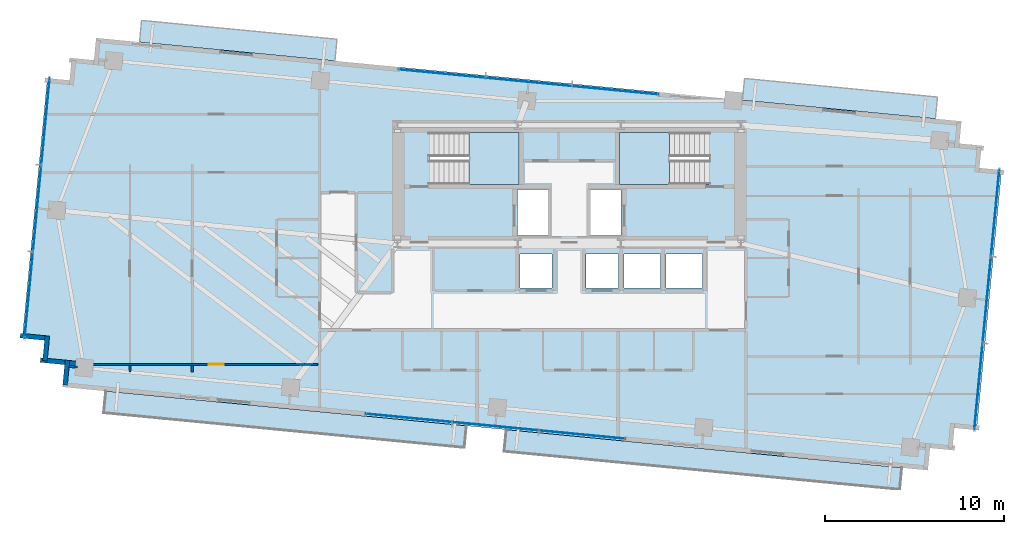
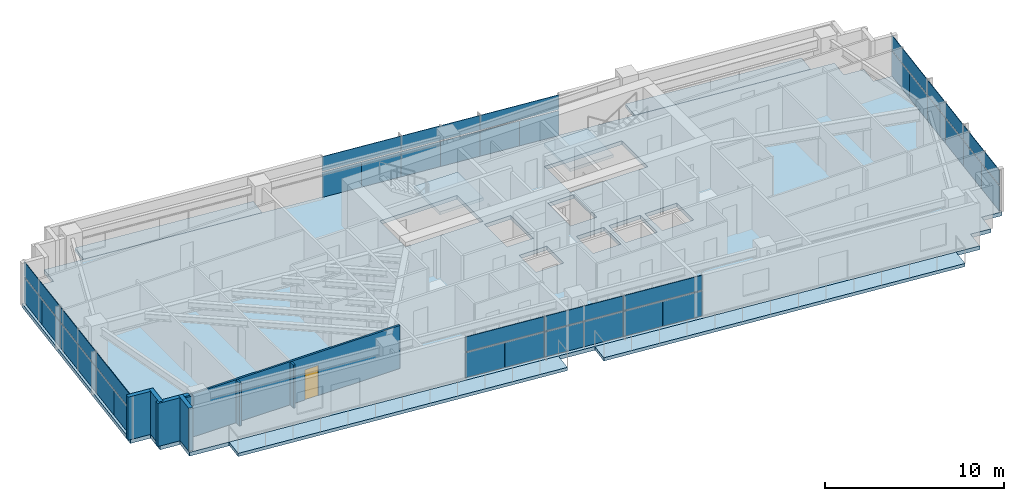
# One storey, part 14 of 20: 36 plates, 8 walls, 7 slabs, 1 door, 1 opening, 6 elements without a shape of their own.
"""IFC4 building model written with IfcOpenShell, lengths in metres."""

from ifc_helpers import new_model, si_unit, direction, frame, frame_2d, origin, origin_2d, place, context, subcontext, project, spatial, polyline, rectangle, outline, extrude, source, transform, mapped, material, layer, layer_set, type_object, type_shapes, element, fill, aggregate, save


model = new_model("IFC4")

# Units and contexts
model_context = context("Model", 3, precision=1e-05, world=origin(), true_north=direction((0.0, 1.0)))
body_context = subcontext(model_context, "Body", "Model", "MODEL_VIEW")
ifc_project = project(units=[si_unit("LENGTHUNIT", "METRE"), si_unit("AREAUNIT", "SQUARE_METRE"), si_unit("VOLUMEUNIT", "CUBIC_METRE"), si_unit("PLANEANGLEUNIT", "RADIAN"), si_unit("MASSUNIT", "GRAM", prefix="KILO")], contexts=[model_context])

# Site, building, storey
site_placement = place(None, origin())
site = spatial("IfcSite", under=ifc_project, at=site_placement, CompositionType="ELEMENT")
building_placement = place(site_placement, origin())
building = spatial("IfcBuilding", under=site, at=building_placement, Name="Astriad Promenade Condominiums", CompositionType="ELEMENT")
storey_placement = place(building_placement, frame((0.0, 0.0, 153.39990234375)))
storey = spatial("IfcBuildingStorey", under=building, at=storey_placement, Name="L44", CompositionType="ELEMENT", Elevation=153.39990234375)

# Slab
ifc_material_1 = material(Name="Concrete C50/60", Category="concrete")
ifc_layer_1 = layer(ifc_material_1, 0.260009765625)
ifc_layer_set_1 = layer_set([ifc_layer_1], Name="Concrete C50/60")
slab_type_1 = type_object("IfcSlabType", Name="CONCRETE TOWER FLOOR SLAB 260", PredefinedType="FLOOR", material=ifc_layer_set_1)
slab_1_placement = place(storey_placement, frame((0.0, 0.0, -0.260009765625)))
element("IfcSlab", 1, at=slab_1_placement, inside=storey, type_object=slab_type_1, Name="Structural Floor Slab (L44)", PredefinedType="FLOOR", context=body_context, shape_type="SweptSolid", body=[
    extrude(outline(polyline([(7.672607421875, 9.374267578125), (56.048828125, 4.716064453125), (56.168701171875, 5.960205078125), (57.412841796875, 5.840576171875), (57.53271484375, 7.084716796875), (58.77685546875, 6.96484375), (60.17626953125, 21.497802734375), (58.931884765625, 21.617431640625), (59.052001953125, 22.86181640625), (57.8076171875, 22.981689453125), (57.927490234375, 24.225830078125), (9.55126953125, 28.8837890625), (9.431396484375, 27.6396484375), (8.18701171875, 27.759521484375), (8.0673828125, 26.515380859375), (6.822998046875, 26.635009765625), (5.423583984375, 12.102294921875), (6.66796875, 11.982421875), (6.548095703125, 10.73828125), (7.79248046875, 10.618408203125), (7.672607421875, 9.374267578125)]), holes=[polyline([(28.175048828125, 20.699951171875), (33.175048828125, 20.699951171875), (33.175048828125, 23.60009765625), (28.175048828125, 23.60009765625), (28.175048828125, 20.699951171875)]), polyline([(38.824951171875, 20.699951171875), (43.824951171875, 20.699951171875), (43.824951171875, 23.60009765625), (38.824951171875, 23.60009765625), (38.824951171875, 20.699951171875)]), polyline([(33.10009765625, 17.85009765625), (34.800048828125, 17.85009765625), (34.800048828125, 20.39990234375), (33.10009765625, 20.39990234375), (33.10009765625, 17.85009765625)]), polyline([(37.199951171875, 17.85009765625), (38.89990234375, 17.85009765625), (38.89990234375, 20.39990234375), (37.199951171875, 20.39990234375), (37.199951171875, 17.85009765625)]), polyline([(33.25, 14.89990234375), (35.050048828125, 14.89990234375), (35.050048828125, 16.800048828125), (33.25, 16.800048828125), (33.25, 14.89990234375)]), polyline([(36.949951171875, 14.89990234375), (38.75, 14.89990234375), (38.75, 16.800048828125), (36.949951171875, 16.800048828125), (36.949951171875, 14.89990234375)]), polyline([(39.050048828125, 14.89990234375), (41.10009765625, 14.89990234375), (41.10009765625, 16.800048828125), (39.050048828125, 16.800048828125), (39.050048828125, 14.89990234375)]), polyline([(41.39990234375, 14.89990234375), (43.449951171875, 14.89990234375), (43.449951171875, 16.800048828125), (41.39990234375, 16.800048828125), (41.39990234375, 14.89990234375)])]), origin(), (0.0, 0.0, 1.0), 0.260009765625),
])

# Stair, slab
stair_type = type_object("IfcStairType", Name="STR-CORE-1350", PredefinedType="HALF_TURN_STAIR", material=ifc_material_1)
stair_1_placement = place(storey_placement, origin())
stair_1 = element("IfcStair", 2, at=stair_1_placement, inside=storey, type_object=stair_type, Name="L44 Enclosed Core Exit Stair ST-1", PredefinedType="HALF_TURN_STAIR")
ifc_layer_2 = layer(ifc_material_1, 0.219970703125)
ifc_layer_set_2 = layer_set([ifc_layer_2], Name="Concrete C50/60")
slab_type_2 = type_object("IfcSlabType", Name="SLB-LANDING-220", PredefinedType="LANDING", material=ifc_layer_set_2)
slab_2_placement = place(storey_placement, frame((0.0, 0.0, 1.400146484375)))
slab_2 = element("IfcSlab", 3, at=slab_2_placement, type_object=slab_type_2, Name="ST-1 landing 1", PredefinedType="LANDING", context=body_context, shape_type="SweptSolid", body=[
    extrude(outline(polyline([(30.389892578125, 20.699951171875), (33.199951171875, 20.699951171875), (33.199951171875, 23.60009765625), (30.389892578125, 23.60009765625), (30.389892578125, 20.699951171875)])), origin(), (0.0, 0.0, 1.0), 0.199951171875),
])
aggregate(stair_1, [slab_2])

stair_2_placement = place(storey_placement, origin())
stair_2 = element("IfcStair", 4, at=stair_2_placement, inside=storey, type_object=stair_type, Name="L44 Enclosed Core Exit Stair ST-2", PredefinedType="HALF_TURN_STAIR")
slab_3_placement = place(storey_placement, frame((0.0, 0.0, 1.400146484375)))
slab_3 = element("IfcSlab", 5, at=slab_3_placement, type_object=slab_type_2, Name="ST-2 landing 1", PredefinedType="LANDING", context=body_context, shape_type="SweptSolid", body=[
    extrude(outline(polyline([(41.610107421875, 23.60009765625), (38.800048828125, 23.60009765625), (38.800048828125, 20.699951171875), (41.610107421875, 20.699951171875), (41.610107421875, 23.60009765625)])), origin(), (0.0, 0.0, 1.0), 0.199951171875),
])
aggregate(stair_2, [slab_3])

# Slabs
ifc_material_2 = material(Name="Precast concrete C50/60", Category="concrete")
ifc_layer_3 = layer(ifc_material_2, 0.219970703125)
ifc_layer_set_3 = layer_set([ifc_layer_3], Name="Precast concrete C50/60")
slab_type_3 = type_object("IfcSlabType", Name="WHITE PRECAST CONCRETE WAVE BALCONY SLAB 220", PredefinedType="FLOOR", material=ifc_layer_set_3)
slab_4_placement = place(storey_placement, frame((0.0, 0.0, -0.219970703125)))
element("IfcSlab", 6, at=slab_4_placement, inside=storey, type_object=slab_type_3, Name="White Precast Wave Balcony Slab BAL-L44-SW", PredefinedType="FLOOR", context=body_context, shape_type="SweptSolid", body=[
    extrude(outline(polyline([(9.978515625, 7.926513671875), (30.13330078125, 5.98583984375), (30.250244140625, 7.2001953125), (10.095458984375, 9.140869140625), (9.978515625, 7.926513671875)])), origin(), (0.0, 0.0, 1.0), 0.219970703125),
])
slab_5_placement = place(storey_placement, frame((0.0, 0.0, -0.219970703125)))
element("IfcSlab", 7, at=slab_5_placement, inside=storey, type_object=slab_type_3, Name="White Precast Wave Balcony Slab BAL-L44-SE", PredefinedType="FLOOR", context=body_context, shape_type="SweptSolid", body=[
    extrude(outline(polyline([(32.364013671875, 5.77099609375), (54.474609375, 3.64208984375), (54.591552734375, 4.8564453125), (32.480712890625, 6.9853515625), (32.364013671875, 5.77099609375)])), origin(), (0.0, 0.0, 1.0), 0.219970703125),
])
slab_6_placement = place(storey_placement, frame((0.0, 0.0, -0.219970703125)))
element("IfcSlab", 8, at=slab_6_placement, inside=storey, type_object=slab_type_3, Name="White Precast Wave Balcony Slab BAL-L44-NW", PredefinedType="FLOOR", context=body_context, shape_type="SweptSolid", body=[
    extrude(outline(polyline([(12.0908203125, 29.864990234375), (23.016357421875, 28.81298828125), (22.899658203125, 27.6005859375), (11.97412109375, 28.652587890625), (12.0908203125, 29.864990234375)])), origin(), (0.0, 0.0, 1.0), 0.219970703125),
])
slab_7_placement = place(storey_placement, frame((0.0, 0.0, -0.219970703125)))
element("IfcSlab", 9, at=slab_7_placement, inside=storey, type_object=slab_type_3, Name="White Precast Wave Balcony Slab BAL-L44-NE", PredefinedType="FLOOR", context=body_context, shape_type="SweptSolid", body=[
    extrude(outline(polyline([(45.801025390625, 26.619140625), (56.587158203125, 25.58056640625), (56.470458984375, 24.3681640625), (45.68408203125, 25.40673828125), (45.801025390625, 26.619140625)])), origin(), (0.0, 0.0, 1.0), 0.219970703125),
])

# Curtain wall, plates
ifc_material_3 = material(Name="Anodised aluminium Black Dark Glass Unitised", Category="aluminium")
curtain_wall_type = type_object("IfcCurtainWallType", Name="CW-B34-DARK", PredefinedType="USERDEFINED", material=ifc_material_3)
curtain_wall_1_placement = place(storey_placement, origin())
curtain_wall_1 = element("IfcCurtainWall", 10, at=curtain_wall_1_placement, inside=storey, type_object=curtain_wall_type, Name="CW-L44-W", ObjectType="UNITISED_CURTAIN_WALL", PredefinedType="USERDEFINED")
ifc_material_4 = material(Name="Dark Tinted Low-E Laminated Glass", Category="glass")
ifc_layer_4 = layer(ifc_material_4, 0.035888671875)
ifc_layer_set_4 = layer_set([ifc_layer_4], Name="Dark Tinted Low-E Laminated Glass")
plate_type = type_object("IfcPlateType", Name="PNL-DARK-GLASS-36", PredefinedType="CURTAIN_PANEL", material=ifc_layer_set_4)
shared_shape_1 = source(origin(), body_context, "Body", "SweptSolid", [
    extrude(rectangle(XDim=2.42138671875, YDim=0.035888671875, at=origin_2d()), origin(), (0.0, 0.0, 1.0), 1.702880859375),
])
plate_1_placement = place(storey_placement, frame((5.669677734375, 13.30078125, 0.080078125), z_axis=(0.0, 0.0, 1.0), x_axis=(0.09584575252, 0.995396198367, 0.0)))
plate_1 = element("IfcPlate", 11, at=plate_1_placement, type_object=plate_type, Name="CW-L44-W-PNL-00-VL", PredefinedType="CURTAIN_PANEL", context=body_context, shape_type="MappedRepresentation", body=[
    mapped(shared_shape_1, transform((0.0, 0.0, 0.0), scale=1.0)),
])
plate_2_placement = place(storey_placement, frame((5.903076171875, 15.722900390625, 0.080078125), z_axis=(0.0, 0.0, 1.0), x_axis=(0.09584575252, 0.995396198367, 0.0)))
plate_2 = element("IfcPlate", 12, at=plate_2_placement, type_object=plate_type, Name="CW-L44-W-PNL-00-VR", PredefinedType="CURTAIN_PANEL", context=body_context, shape_type="MappedRepresentation", body=[
    mapped(shared_shape_1, transform((0.0, 0.0, 0.0), scale=1.0)),
])
plate_3_placement = place(storey_placement, frame((6.13623046875, 18.145263671875, 0.080078125), z_axis=(0.0, 0.0, 1.0), x_axis=(0.09584575252, 0.995396198367, 0.0)))
plate_3 = element("IfcPlate", 13, at=plate_3_placement, type_object=plate_type, Name="CW-L44-W-PNL-01-VL", PredefinedType="CURTAIN_PANEL", context=body_context, shape_type="MappedRepresentation", body=[
    mapped(shared_shape_1, transform((0.0, 0.0, 0.0), scale=1.0)),
])
plate_4_placement = place(storey_placement, frame((6.369384765625, 20.5673828125, 0.080078125), z_axis=(0.0, 0.0, 1.0), x_axis=(0.09584575252, 0.995396198367, 0.0)))
plate_4 = element("IfcPlate", 14, at=plate_4_placement, type_object=plate_type, Name="CW-L44-W-PNL-01-VR", PredefinedType="CURTAIN_PANEL", context=body_context, shape_type="MappedRepresentation", body=[
    mapped(shared_shape_1, transform((0.0, 0.0, 0.0), scale=1.0)),
])
plate_5_placement = place(storey_placement, frame((6.6025390625, 22.989501953125, 0.080078125), z_axis=(0.0, 0.0, 1.0), x_axis=(0.09584575252, 0.995396198367, 0.0)))
plate_5 = element("IfcPlate", 15, at=plate_5_placement, type_object=plate_type, Name="CW-L44-W-PNL-02-VL", PredefinedType="CURTAIN_PANEL", context=body_context, shape_type="MappedRepresentation", body=[
    mapped(shared_shape_1, transform((0.0, 0.0, 0.0), scale=1.0)),
])
plate_6_placement = place(storey_placement, frame((6.8359375, 25.41162109375, 0.080078125), z_axis=(0.0, 0.0, 1.0), x_axis=(0.09584575252, 0.995396198367, 0.0)))
plate_6 = element("IfcPlate", 16, at=plate_6_placement, type_object=plate_type, Name="CW-L44-W-PNL-02-VR", PredefinedType="CURTAIN_PANEL", context=body_context, shape_type="MappedRepresentation", body=[
    mapped(shared_shape_1, transform((0.0, 0.0, 0.0), scale=1.0)),
])

curtain_wall_2_placement = place(storey_placement, origin())
curtain_wall_2 = element("IfcCurtainWall", 17, at=curtain_wall_2_placement, inside=storey, type_object=curtain_wall_type, Name="CW-L44-E", ObjectType="UNITISED_CURTAIN_WALL", PredefinedType="USERDEFINED")
plate_7_placement = place(storey_placement, frame((59.930419921875, 20.299072265625, 0.080078125), z_axis=(0.0, 0.0, 1.0), x_axis=(-0.09584575252, -0.995396198367, 0.0)))
plate_7 = element("IfcPlate", 18, at=plate_7_placement, type_object=plate_type, Name="CW-L44-E-PNL-00-VL", PredefinedType="CURTAIN_PANEL", context=body_context, shape_type="MappedRepresentation", body=[
    mapped(shared_shape_1, transform((0.0, 0.0, 0.0), scale=1.0)),
])
plate_8_placement = place(storey_placement, frame((59.697021484375, 17.876953125, 0.080078125), z_axis=(0.0, 0.0, 1.0), x_axis=(-0.09584575252, -0.995396198367, 0.0)))
plate_8 = element("IfcPlate", 19, at=plate_8_placement, type_object=plate_type, Name="CW-L44-E-PNL-00-VR", PredefinedType="CURTAIN_PANEL", context=body_context, shape_type="MappedRepresentation", body=[
    mapped(shared_shape_1, transform((0.0, 0.0, 0.0), scale=1.0)),
])
plate_9_placement = place(storey_placement, frame((59.4638671875, 15.454833984375, 0.080078125), z_axis=(0.0, 0.0, 1.0), x_axis=(-0.09584575252, -0.995396198367, 0.0)))
plate_9 = element("IfcPlate", 20, at=plate_9_placement, type_object=plate_type, Name="CW-L44-E-PNL-01-VL", PredefinedType="CURTAIN_PANEL", context=body_context, shape_type="MappedRepresentation", body=[
    mapped(shared_shape_1, transform((0.0, 0.0, 0.0), scale=1.0)),
])
plate_10_placement = place(storey_placement, frame((59.230712890625, 13.03271484375, 0.080078125), z_axis=(0.0, 0.0, 1.0), x_axis=(-0.09584575252, -0.995396198367, 0.0)))
plate_10 = element("IfcPlate", 21, at=plate_10_placement, type_object=plate_type, Name="CW-L44-E-PNL-01-VR", PredefinedType="CURTAIN_PANEL", context=body_context, shape_type="MappedRepresentation", body=[
    mapped(shared_shape_1, transform((0.0, 0.0, 0.0), scale=1.0)),
])
plate_11_placement = place(storey_placement, frame((58.997314453125, 10.610595703125, 0.080078125), z_axis=(0.0, 0.0, 1.0), x_axis=(-0.09584575252, -0.995396198367, 0.0)))
plate_11 = element("IfcPlate", 22, at=plate_11_placement, type_object=plate_type, Name="CW-L44-E-PNL-02-VL", PredefinedType="CURTAIN_PANEL", context=body_context, shape_type="MappedRepresentation", body=[
    mapped(shared_shape_1, transform((0.0, 0.0, 0.0), scale=1.0)),
])
plate_12_placement = place(storey_placement, frame((58.76416015625, 8.1884765625, 0.080078125), z_axis=(0.0, 0.0, 1.0), x_axis=(-0.09584575252, -0.995396198367, 0.0)))
plate_12 = element("IfcPlate", 23, at=plate_12_placement, type_object=plate_type, Name="CW-L44-E-PNL-02-VR", PredefinedType="CURTAIN_PANEL", context=body_context, shape_type="MappedRepresentation", body=[
    mapped(shared_shape_1, transform((0.0, 0.0, 0.0), scale=1.0)),
])

# Plate
shared_shape_2 = source(origin(), body_context, "Body", "SweptSolid", [
    extrude(rectangle(XDim=4.854736328125, YDim=0.035888671875, at=origin_2d()), origin(), (0.0, 0.0, 1.0), 0.997314453125),
])
plate_13_placement = place(storey_placement, frame((5.786376953125, 14.511962890625, 1.86279296875), z_axis=(0.0, 0.0, 1.0), x_axis=(0.09584575252, 0.995396198367, 0.0)))
plate_13 = element("IfcPlate", 24, at=plate_13_placement, type_object=plate_type, Name="CW-L44-W-PNL-00-S", PredefinedType="CURTAIN_PANEL", context=body_context, shape_type="MappedRepresentation", body=[
    mapped(shared_shape_2, transform((0.0, 0.0, 0.0), scale=1.0)),
])

plate_14_placement = place(storey_placement, frame((6.252685546875, 19.356201171875, 1.86279296875), z_axis=(0.0, 0.0, 1.0), x_axis=(0.09584575252, 0.995396198367, 0.0)))
plate_14 = element("IfcPlate", 25, at=plate_14_placement, type_object=plate_type, Name="CW-L44-W-PNL-01-S", PredefinedType="CURTAIN_PANEL", context=body_context, shape_type="MappedRepresentation", body=[
    mapped(shared_shape_2, transform((0.0, 0.0, 0.0), scale=1.0)),
])

plate_15_placement = place(storey_placement, frame((6.71923828125, 24.200439453125, 1.86279296875), z_axis=(0.0, 0.0, 1.0), x_axis=(0.09584575252, 0.995396198367, 0.0)))
plate_15 = element("IfcPlate", 26, at=plate_15_placement, type_object=plate_type, Name="CW-L44-W-PNL-02-S", PredefinedType="CURTAIN_PANEL", context=body_context, shape_type="MappedRepresentation", body=[
    mapped(shared_shape_2, transform((0.0, 0.0, 0.0), scale=1.0)),
])

aggregate(curtain_wall_1, [plate_1, plate_2, plate_13, plate_3, plate_4, plate_14, plate_5, plate_6, plate_15])

plate_16_placement = place(storey_placement, frame((59.813720703125, 19.088134765625, 1.86279296875), z_axis=(0.0, 0.0, 1.0), x_axis=(-0.09584575252, -0.995396198367, 0.0)))
plate_16 = element("IfcPlate", 27, at=plate_16_placement, type_object=plate_type, Name="CW-L44-E-PNL-00-S", PredefinedType="CURTAIN_PANEL", context=body_context, shape_type="MappedRepresentation", body=[
    mapped(shared_shape_2, transform((0.0, 0.0, 0.0), scale=1.0)),
])

plate_17_placement = place(storey_placement, frame((59.34716796875, 14.243896484375, 1.86279296875), z_axis=(0.0, 0.0, 1.0), x_axis=(-0.09584575252, -0.995396198367, 0.0)))
plate_17 = element("IfcPlate", 28, at=plate_17_placement, type_object=plate_type, Name="CW-L44-E-PNL-01-S", PredefinedType="CURTAIN_PANEL", context=body_context, shape_type="MappedRepresentation", body=[
    mapped(shared_shape_2, transform((0.0, 0.0, 0.0), scale=1.0)),
])

plate_18_placement = place(storey_placement, frame((58.880615234375, 9.3994140625, 1.86279296875), z_axis=(0.0, 0.0, 1.0), x_axis=(-0.09584575252, -0.995396198367, 0.0)))
plate_18 = element("IfcPlate", 29, at=plate_18_placement, type_object=plate_type, Name="CW-L44-E-PNL-02-S", PredefinedType="CURTAIN_PANEL", context=body_context, shape_type="MappedRepresentation", body=[
    mapped(shared_shape_2, transform((0.0, 0.0, 0.0), scale=1.0)),
])

aggregate(curtain_wall_2, [plate_7, plate_8, plate_16, plate_9, plate_10, plate_17, plate_11, plate_12, plate_18])

# Curtain wall, plates
curtain_wall_3_placement = place(storey_placement, origin())
curtain_wall_3 = element("IfcCurtainWall", 30, at=curtain_wall_3_placement, inside=storey, type_object=curtain_wall_type, Name="CW-L44-N", ObjectType="UNITISED_CURTAIN_WALL", PredefinedType="USERDEFINED")
shared_shape_3 = source(origin(), body_context, "Body", "SweptSolid", [
    extrude(rectangle(XDim=2.41796875, YDim=0.035888671875, at=origin_2d()), origin(), (0.0, 0.0, 1.0), 1.702880859375),
])
plate_19_placement = place(storey_placement, frame((27.6796875, 27.0078125, 0.080078125), z_axis=(0.0, 0.0, 1.0), x_axis=(0.995396198367, -0.09584575252, 0.0)))
plate_19 = element("IfcPlate", 31, at=plate_19_placement, type_object=plate_type, Name="CW-L44-N-PNL-00-VL", PredefinedType="CURTAIN_PANEL", context=body_context, shape_type="MappedRepresentation", body=[
    mapped(shared_shape_3, transform((0.0, 0.0, 0.0), scale=1.0)),
])
plate_20_placement = place(storey_placement, frame((30.0986328125, 26.77490234375, 0.080078125), z_axis=(0.0, 0.0, 1.0), x_axis=(0.995396198367, -0.09584575252, 0.0)))
plate_20 = element("IfcPlate", 32, at=plate_20_placement, type_object=plate_type, Name="CW-L44-N-PNL-00-VR", PredefinedType="CURTAIN_PANEL", context=body_context, shape_type="MappedRepresentation", body=[
    mapped(shared_shape_3, transform((0.0, 0.0, 0.0), scale=1.0)),
])
plate_21_placement = place(storey_placement, frame((32.517333984375, 26.5419921875, 0.080078125), z_axis=(0.0, 0.0, 1.0), x_axis=(0.995396198367, -0.09584575252, 0.0)))
plate_21 = element("IfcPlate", 33, at=plate_21_placement, type_object=plate_type, Name="CW-L44-N-PNL-01-VL", PredefinedType="CURTAIN_PANEL", context=body_context, shape_type="MappedRepresentation", body=[
    mapped(shared_shape_3, transform((0.0, 0.0, 0.0), scale=1.0)),
])
plate_22_placement = place(storey_placement, frame((34.936279296875, 26.30908203125, 0.080078125), z_axis=(0.0, 0.0, 1.0), x_axis=(0.995396198367, -0.09584575252, 0.0)))
plate_22 = element("IfcPlate", 34, at=plate_22_placement, type_object=plate_type, Name="CW-L44-N-PNL-01-VR", PredefinedType="CURTAIN_PANEL", context=body_context, shape_type="MappedRepresentation", body=[
    mapped(shared_shape_3, transform((0.0, 0.0, 0.0), scale=1.0)),
])
plate_23_placement = place(storey_placement, frame((37.35498046875, 26.075927734375, 0.080078125), z_axis=(0.0, 0.0, 1.0), x_axis=(0.995396198367, -0.09584575252, 0.0)))
plate_23 = element("IfcPlate", 35, at=plate_23_placement, type_object=plate_type, Name="CW-L44-N-PNL-02-VL", PredefinedType="CURTAIN_PANEL", context=body_context, shape_type="MappedRepresentation", body=[
    mapped(shared_shape_3, transform((0.0, 0.0, 0.0), scale=1.0)),
])
plate_24_placement = place(storey_placement, frame((39.77392578125, 25.84326171875, 0.080078125), z_axis=(0.0, 0.0, 1.0), x_axis=(0.995396198367, -0.09584575252, 0.0)))
plate_24 = element("IfcPlate", 36, at=plate_24_placement, type_object=plate_type, Name="CW-L44-N-PNL-02-VR", PredefinedType="CURTAIN_PANEL", context=body_context, shape_type="MappedRepresentation", body=[
    mapped(shared_shape_3, transform((0.0, 0.0, 0.0), scale=1.0)),
])

curtain_wall_4_placement = place(storey_placement, origin())
curtain_wall_4 = element("IfcCurtainWall", 37, at=curtain_wall_4_placement, inside=storey, type_object=curtain_wall_type, Name="CW-L44-S", ObjectType="UNITISED_CURTAIN_WALL", PredefinedType="USERDEFINED")
plate_25_placement = place(storey_placement, frame((37.920166015625, 6.59228515625, 0.080078125), z_axis=(0.0, 0.0, 1.0), x_axis=(-0.995396198367, 0.09584575252, 0.0)))
plate_25 = element("IfcPlate", 38, at=plate_25_placement, type_object=plate_type, Name="CW-L44-S-PNL-00-VL", PredefinedType="CURTAIN_PANEL", context=body_context, shape_type="MappedRepresentation", body=[
    mapped(shared_shape_3, transform((0.0, 0.0, 0.0), scale=1.0)),
])
plate_26_placement = place(storey_placement, frame((35.50146484375, 6.8251953125, 0.080078125), z_axis=(0.0, 0.0, 1.0), x_axis=(-0.995396198367, 0.09584575252, 0.0)))
plate_26 = element("IfcPlate", 39, at=plate_26_placement, type_object=plate_type, Name="CW-L44-S-PNL-00-VR", PredefinedType="CURTAIN_PANEL", context=body_context, shape_type="MappedRepresentation", body=[
    mapped(shared_shape_3, transform((0.0, 0.0, 0.0), scale=1.0)),
])
plate_27_placement = place(storey_placement, frame((33.08251953125, 7.05810546875, 0.080078125), z_axis=(0.0, 0.0, 1.0), x_axis=(-0.995396198367, 0.09584575252, 0.0)))
plate_27 = element("IfcPlate", 40, at=plate_27_placement, type_object=plate_type, Name="CW-L44-S-PNL-01-VL", PredefinedType="CURTAIN_PANEL", context=body_context, shape_type="MappedRepresentation", body=[
    mapped(shared_shape_3, transform((0.0, 0.0, 0.0), scale=1.0)),
])
plate_28_placement = place(storey_placement, frame((30.663818359375, 7.291015625, 0.080078125), z_axis=(0.0, 0.0, 1.0), x_axis=(-0.995396198367, 0.09584575252, 0.0)))
plate_28 = element("IfcPlate", 41, at=plate_28_placement, type_object=plate_type, Name="CW-L44-S-PNL-01-VR", PredefinedType="CURTAIN_PANEL", context=body_context, shape_type="MappedRepresentation", body=[
    mapped(shared_shape_3, transform((0.0, 0.0, 0.0), scale=1.0)),
])
plate_29_placement = place(storey_placement, frame((28.244873046875, 7.52392578125, 0.080078125), z_axis=(0.0, 0.0, 1.0), x_axis=(-0.995396198367, 0.09584575252, 0.0)))
plate_29 = element("IfcPlate", 42, at=plate_29_placement, type_object=plate_type, Name="CW-L44-S-PNL-02-VL", PredefinedType="CURTAIN_PANEL", context=body_context, shape_type="MappedRepresentation", body=[
    mapped(shared_shape_3, transform((0.0, 0.0, 0.0), scale=1.0)),
])
plate_30_placement = place(storey_placement, frame((25.826171875, 7.7568359375, 0.080078125), z_axis=(0.0, 0.0, 1.0), x_axis=(-0.995396198367, 0.09584575252, 0.0)))
plate_30 = element("IfcPlate", 43, at=plate_30_placement, type_object=plate_type, Name="CW-L44-S-PNL-02-VR", PredefinedType="CURTAIN_PANEL", context=body_context, shape_type="MappedRepresentation", body=[
    mapped(shared_shape_3, transform((0.0, 0.0, 0.0), scale=1.0)),
])

# Plate
shared_shape_4 = source(origin(), body_context, "Body", "SweptSolid", [
    extrude(rectangle(XDim=4.847900390625, YDim=0.035888671875, at=origin_2d()), origin(), (0.0, 0.0, 1.0), 0.997314453125),
])
type_shapes(plate_type, [shared_shape_1, shared_shape_2, shared_shape_3, shared_shape_4])
plate_31_placement = place(storey_placement, frame((28.88916015625, 26.891357421875, 1.86279296875), z_axis=(0.0, 0.0, 1.0), x_axis=(0.995396198367, -0.09584575252, 0.0)))
plate_31 = element("IfcPlate", 44, at=plate_31_placement, type_object=plate_type, Name="CW-L44-N-PNL-00-S", PredefinedType="CURTAIN_PANEL", context=body_context, shape_type="MappedRepresentation", body=[
    mapped(shared_shape_4, transform((0.0, 0.0, 0.0), scale=1.0)),
])

plate_32_placement = place(storey_placement, frame((33.726806640625, 26.42529296875, 1.86279296875), z_axis=(0.0, 0.0, 1.0), x_axis=(0.995396198367, -0.09584575252, 0.0)))
plate_32 = element("IfcPlate", 45, at=plate_32_placement, type_object=plate_type, Name="CW-L44-N-PNL-01-S", PredefinedType="CURTAIN_PANEL", context=body_context, shape_type="MappedRepresentation", body=[
    mapped(shared_shape_4, transform((0.0, 0.0, 0.0), scale=1.0)),
])

plate_33_placement = place(storey_placement, frame((38.564453125, 25.959716796875, 1.86279296875), z_axis=(0.0, 0.0, 1.0), x_axis=(0.995396198367, -0.09584575252, 0.0)))
plate_33 = element("IfcPlate", 46, at=plate_33_placement, type_object=plate_type, Name="CW-L44-N-PNL-02-S", PredefinedType="CURTAIN_PANEL", context=body_context, shape_type="MappedRepresentation", body=[
    mapped(shared_shape_4, transform((0.0, 0.0, 0.0), scale=1.0)),
])

aggregate(curtain_wall_3, [plate_19, plate_20, plate_31, plate_21, plate_22, plate_32, plate_23, plate_24, plate_33])

plate_34_placement = place(storey_placement, frame((36.710693359375, 6.708740234375, 1.86279296875), z_axis=(0.0, 0.0, 1.0), x_axis=(-0.995396198367, 0.09584575252, 0.0)))
plate_34 = element("IfcPlate", 47, at=plate_34_placement, type_object=plate_type, Name="CW-L44-S-PNL-00-S", PredefinedType="CURTAIN_PANEL", context=body_context, shape_type="MappedRepresentation", body=[
    mapped(shared_shape_4, transform((0.0, 0.0, 0.0), scale=1.0)),
])

plate_35_placement = place(storey_placement, frame((31.873291015625, 7.174560546875, 1.86279296875), z_axis=(0.0, 0.0, 1.0), x_axis=(-0.995396198367, 0.09584575252, 0.0)))
plate_35 = element("IfcPlate", 48, at=plate_35_placement, type_object=plate_type, Name="CW-L44-S-PNL-01-S", PredefinedType="CURTAIN_PANEL", context=body_context, shape_type="MappedRepresentation", body=[
    mapped(shared_shape_4, transform((0.0, 0.0, 0.0), scale=1.0)),
])

plate_36_placement = place(storey_placement, frame((27.035400390625, 7.640380859375, 1.86279296875), z_axis=(0.0, 0.0, 1.0), x_axis=(-0.995396198367, 0.09584575252, 0.0)))
plate_36 = element("IfcPlate", 49, at=plate_36_placement, type_object=plate_type, Name="CW-L44-S-PNL-02-S", PredefinedType="CURTAIN_PANEL", context=body_context, shape_type="MappedRepresentation", body=[
    mapped(shared_shape_4, transform((0.0, 0.0, 0.0), scale=1.0)),
])

aggregate(curtain_wall_4, [plate_25, plate_26, plate_34, plate_27, plate_28, plate_35, plate_29, plate_30, plate_36])

# Walls
ifc_layer_5 = layer(ifc_material_2, 0.260009765625)
ifc_layer_set_5 = layer_set([ifc_layer_5], Name="Precast concrete C50/60")
wall_type_1 = type_object("IfcWallType", Name="WALL-EXT-TWR-260", PredefinedType="STANDARD", material=ifc_layer_set_5)
wall_1_placement = place(storey_placement, frame((8.400146484375, 10.6904296875, 0.0), z_axis=(0.0, 0.0, 1.0), x_axis=(-0.995391147587, 0.095898192396, 0.0)))
element("IfcWall", 50, at=wall_1_placement, inside=storey, type_object=wall_type_1, Name="W-SER-L44-00", PredefinedType="STANDARD", context=body_context, shape_type="SweptSolid", body=[
    extrude(rectangle(XDim=1.97802734375, YDim=0.260009765625, at=frame_2d((0.989013671875, 0.0))), origin(), (0.0, 0.0, 1.0), 2.940185546875),
])
wall_2_placement = place(storey_placement, frame((6.6884765625, 10.840087890625, 0.0), z_axis=(0.0, 0.0, 1.0), x_axis=(0.09589913835, 0.995391056452, 0.0)))
element("IfcWall", 51, at=wall_2_placement, inside=storey, type_object=wall_type_1, Name="W-SER-L44-01", PredefinedType="STANDARD", context=body_context, shape_type="SweptSolid", body=[
    extrude(rectangle(XDim=1.39501953125, YDim=0.260009765625, at=frame_2d((0.697509765625, 0.0))), origin(), (0.0, 0.0, 1.0), 2.940185546875),
])
for number, where, z_axis, x_axis, name in (
    (52, (6.6953125, 12.110595703125, 0.0), (0.0, 0.0, 1.0), (-0.99540614245, 0.095742423056, 0.0), "W-SER-L44-02"),
    (53, (7.81298828125, 9.476318359375, 0.0), (0.0, 0.0, 1.0), (0.095915846097, 0.995389446633, 0.0), "W-SER-L44-19"),
):
    element("IfcWall", number, at=place(storey_placement, frame(where, z_axis=z_axis, x_axis=x_axis)), inside=storey, type_object=wall_type_1, Name=name, PredefinedType="STANDARD", context=body_context, shape_type="SweptSolid", body=[
        extrude(rectangle(XDim=1.394775390625, YDim=0.260009765625, at=frame_2d((0.697265625, 0.0))), origin(), (0.0, 0.0, 1.0), 2.940185546875),
    ])

# Wall, opening, door
ifc_material_5 = material(Name="Acoustic Metal-Stud Gypsum Partition")
ifc_layer_6 = layer(ifc_material_5, 0.1201171875)
ifc_layer_set_6 = layer_set([ifc_layer_6], Name="Acoustic Metal-Stud Gypsum Partition")
wall_type_2 = type_object("IfcWallType", Name="WALL-PART-120", PredefinedType="PARTITIONING", material=ifc_layer_set_6)
wall_3_placement = place(storey_placement, frame((8.39501953125, 10.638916015625, 0.0), z_axis=(0.0, 0.0, 1.0), x_axis=(1.0, 0.0, 0.0)))
wall_3 = element("IfcWall", 54, at=wall_3_placement, inside=storey, type_object=wall_type_2, Name="PT-L44-W1-WDS3", PredefinedType="PARTITIONING", context=body_context, shape_type="SweptSolid", body=[
    extrude(rectangle(XDim=13.572998046875, YDim=0.1201171875, at=frame_2d((6.78662109375, 0.0))), origin(), (0.0, 0.0, 1.0), 2.940185546875),
])
opening_placement = place(wall_3_placement, frame((7.450927734375, 0.0, 0.0)))
opening = element("IfcOpeningElement", 55, at=opening_placement, cuts=wall_3, Name="Opening D-INT-085", PredefinedType="OPENING", context=body_context, shape_type="SweptSolid", body=[
    extrude(rectangle(XDim=0.85009765625, YDim=2.050048828125, at=frame_2d((0.425048828125, 1.02490234375))), frame((0.0, 0.070068359375, 0.0), z_axis=(0.0, -1.0, 0.0), x_axis=(1.0, 0.0, 0.0)), (0.0, 0.0, 1.0), 0.14013671875),
])
ifc_material_6 = material(Name="Painted Solid-Core Timber Room Door", Category="wood")
door_type = type_object("IfcDoorType", Name="D-INT-085", OperationType="NOTDEFINED", PredefinedType="DOOR", material=ifc_material_6)
shared_shape_5 = source(origin(), body_context, "Body", "SweptSolid", [
    extrude(rectangle(XDim=0.85009765625, YDim=2.050048828125, at=frame_2d((0.425048828125, 1.02490234375))), frame((0.0, 0.02490234375, 0.0), z_axis=(0.0, -1.0, 0.0), x_axis=(1.0, 0.0, 0.0)), (0.0, 0.0, 1.0), 0.050048828125),
])
type_shapes(door_type, [shared_shape_5])
door_placement = place(opening_placement, origin())
door = element("IfcDoor", 56, at=door_placement, inside=storey, type_object=door_type, Name="D-WDS3-L44-W1", OperationType="SINGLE_SWING_RIGHT", OverallHeight=2.050048828125, OverallWidth=0.85009765625, PredefinedType="DOOR", context=body_context, shape_type="MappedRepresentation", body=[
    mapped(shared_shape_5, transform((0.0, 0.0, 0.0), scale=1.0)),
])
fill(opening, door)

# Walls
for number, where, z_axis, x_axis, name in (
    (57, (11.43701171875, 10.198974609375, 0.0), (0.0, 0.0, 1.0), (0.0, 1.0, 0.0), "PT-L44-W1-WDV4"),
    (58, (14.9208984375, 10.198974609375, 0.0), (0.0, 0.0, 1.0), (0.0, 1.0, 0.0), "PT-L44-W1-WDV5"),
):
    element("IfcWall", number, at=place(storey_placement, frame(where, z_axis=z_axis, x_axis=x_axis)), inside=storey, type_object=wall_type_2, Name=name, PredefinedType="PARTITIONING", context=body_context, shape_type="SweptSolid", body=[
        extrude(rectangle(XDim=0.3779296875, YDim=0.1201171875, at=frame_2d((0.18896484375, 0.0))), origin(), (0.0, 0.0, 1.0), 2.940185546875),
    ])
wall_4_placement = place(storey_placement, frame((8.502197265625, 10.479736328125, 0.0), z_axis=(0.0, 0.0, 1.0), x_axis=(-0.995384576284, 0.09596637586, 0.0)))
element("IfcWall", 59, at=wall_4_placement, inside=storey, type_object=wall_type_2, Name="PT-PIL-L44-PC01-8", PredefinedType="PARTITIONING", context=body_context, shape_type="SweptSolid", body=[
    extrude(rectangle(XDim=0.4580078125, YDim=0.1201171875, at=frame_2d((0.22900390625, 0.0))), origin(), (0.0, 0.0, 1.0), 2.940185546875),
])

save(model, "model.ifc")
